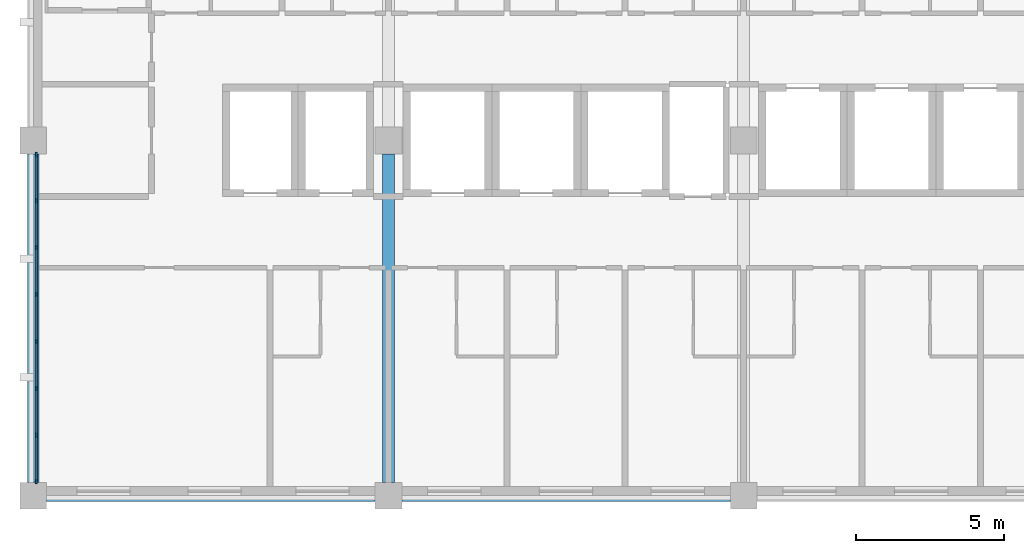
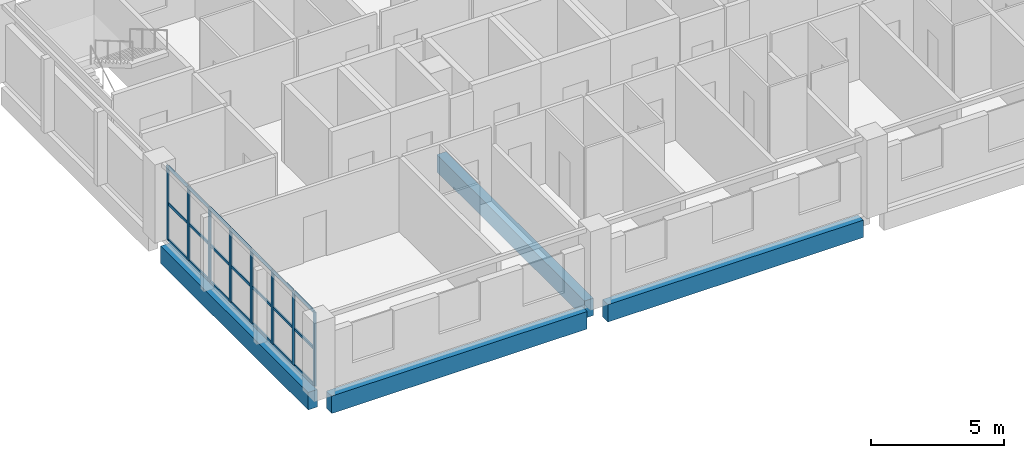
# One storey, part 2 of 11: 29 members, 4 beams, 1 element without a shape of its own.
"""IFC4 building model written with IfcOpenShell, lengths in metres."""

from ifc_helpers import new_model, si_unit, direction, frame, origin, origin_2d, place, context, subcontext, project, spatial, rectangle, extrude, material, layer, layer_set, material_profile, profile_set, type_object, element, aggregate, save


model = new_model("IFC4")

# Units and contexts
model_context = context("Model", 3, precision=1e-05, world=origin(), true_north=direction((0.0, 1.0)))
body_context = subcontext(model_context, "Body", "Model", "MODEL_VIEW")
ifc_project = project(units=[si_unit("LENGTHUNIT", "METRE"), si_unit("AREAUNIT", "SQUARE_METRE"), si_unit("VOLUMEUNIT", "CUBIC_METRE"), si_unit("PLANEANGLEUNIT", "RADIAN"), si_unit("MASSUNIT", "GRAM", prefix="KILO")], contexts=[model_context])

# Site, building, storey
site_placement = place(None, origin())
site = spatial("IfcSite", under=ifc_project, at=site_placement, CompositionType="ELEMENT")
building_placement = place(site_placement, origin())
building = spatial("IfcBuilding", under=site, at=building_placement, Name="Lilac Gate Convention Centre", CompositionType="ELEMENT")
storey_placement = place(building_placement, frame((0.0, 0.0, 28.199951171875)))
storey = spatial("IfcBuildingStorey", under=building, at=storey_placement, Name="L06", CompositionType="ELEMENT", Elevation=28.199951171875)

# Curtain wall, members
ifc_material_1 = material(Name="Aluminium framed double glazing", Category="aluminium")
ifc_layer = layer(ifc_material_1, 0.199951171875)
ifc_layer_set = layer_set([ifc_layer], Name="Aluminium framed double glazing")
curtain_wall_type = type_object("IfcCurtainWallType", Name="Unitised curtain wall 1500", PredefinedType="NOTDEFINED", material=ifc_layer_set)
curtain_wall_placement = place(storey_placement, origin())
curtain_wall = element("IfcCurtainWall", 1, at=curtain_wall_placement, inside=storey, type_object=curtain_wall_type, Name="Curtain wall W L06 2", PredefinedType="NOTDEFINED")
ifc_material_2 = material(Name="Aluminium alloy 6063", Category="aluminium")
ifc_material_profile_1 = material_profile(ifc_material_2, rectangle(XDim=0.06005859375, YDim=0.159912109375, at=origin_2d()), Name="Curtain wall mullion 60 x 160")
ifc_profile_set_1 = profile_set([ifc_material_profile_1], Name="Aluminium alloy 6063")
member_type_1 = type_object("IfcMemberType", Name="Curtain wall mullion 60 x 160", PredefinedType="MULLION", material=ifc_profile_set_1)
member_1_placement = place(storey_placement, frame((42.10009765625, 233.52001953125, 0.0), z_axis=(0.0, 0.0, 1.0), x_axis=(1.0, 0.0, 0.0)))
member_1 = element("IfcMember", 2, at=member_1_placement, type_object=member_type_1, Name="CW mullion 1", PredefinedType="MULLION", context=body_context, shape_type="SweptSolid", body=[
    extrude(rectangle(XDim=0.06005859375, YDim=0.159912109375, at=origin_2d()), origin(), (0.0, 0.0, 1.0), 3.400146484375),
])
member_2_placement = place(storey_placement, frame((42.10009765625, 231.96435546875, 0.0), z_axis=(0.0, 0.0, 1.0), x_axis=(1.0, 0.0, 0.0)))
member_2 = element("IfcMember", 3, at=member_2_placement, type_object=member_type_1, Name="CW mullion 2", PredefinedType="MULLION", context=body_context, shape_type="SweptSolid", body=[
    extrude(rectangle(XDim=0.06005859375, YDim=0.159912109375, at=origin_2d()), origin(), (0.0, 0.0, 1.0), 3.400146484375),
])
member_3_placement = place(storey_placement, frame((42.10009765625, 230.378662109375, 0.0), z_axis=(0.0, 0.0, 1.0), x_axis=(1.0, 0.0, 0.0)))
member_3 = element("IfcMember", 4, at=member_3_placement, type_object=member_type_1, Name="CW mullion 3", PredefinedType="MULLION", context=body_context, shape_type="SweptSolid", body=[
    extrude(rectangle(XDim=0.06005859375, YDim=0.159912109375, at=origin_2d()), origin(), (0.0, 0.0, 1.0), 3.400146484375),
])
member_4_placement = place(storey_placement, frame((42.10009765625, 228.79296875, 0.0), z_axis=(0.0, 0.0, 1.0), x_axis=(1.0, 0.0, 0.0)))
member_4 = element("IfcMember", 5, at=member_4_placement, type_object=member_type_1, Name="CW mullion 4", PredefinedType="MULLION", context=body_context, shape_type="SweptSolid", body=[
    extrude(rectangle(XDim=0.06005859375, YDim=0.159912109375, at=origin_2d()), origin(), (0.0, 0.0, 1.0), 3.400146484375),
])
member_5_placement = place(storey_placement, frame((42.10009765625, 227.20703125, 0.0), z_axis=(0.0, 0.0, 1.0), x_axis=(1.0, 0.0, 0.0)))
member_5 = element("IfcMember", 6, at=member_5_placement, type_object=member_type_1, Name="CW mullion 5", PredefinedType="MULLION", context=body_context, shape_type="SweptSolid", body=[
    extrude(rectangle(XDim=0.06005859375, YDim=0.159912109375, at=origin_2d()), origin(), (0.0, 0.0, 1.0), 3.400146484375),
])
member_6_placement = place(storey_placement, frame((42.10009765625, 225.621337890625, 0.0), z_axis=(0.0, 0.0, 1.0), x_axis=(1.0, 0.0, 0.0)))
member_6 = element("IfcMember", 7, at=member_6_placement, type_object=member_type_1, Name="CW mullion 6", PredefinedType="MULLION", context=body_context, shape_type="SweptSolid", body=[
    extrude(rectangle(XDim=0.06005859375, YDim=0.159912109375, at=origin_2d()), origin(), (0.0, 0.0, 1.0), 3.400146484375),
])
member_7_placement = place(storey_placement, frame((42.10009765625, 224.03564453125, 0.0), z_axis=(0.0, 0.0, 1.0), x_axis=(1.0, 0.0, 0.0)))
member_7 = element("IfcMember", 8, at=member_7_placement, type_object=member_type_1, Name="CW mullion 7", PredefinedType="MULLION", context=body_context, shape_type="SweptSolid", body=[
    extrude(rectangle(XDim=0.06005859375, YDim=0.159912109375, at=origin_2d()), origin(), (0.0, 0.0, 1.0), 3.400146484375),
])
member_8_placement = place(storey_placement, frame((42.10009765625, 222.47998046875, 0.0), z_axis=(0.0, 0.0, 1.0), x_axis=(1.0, 0.0, 0.0)))
member_8 = element("IfcMember", 9, at=member_8_placement, type_object=member_type_1, Name="CW mullion 8", PredefinedType="MULLION", context=body_context, shape_type="SweptSolid", body=[
    extrude(rectangle(XDim=0.06005859375, YDim=0.159912109375, at=origin_2d()), origin(), (0.0, 0.0, 1.0), 3.400146484375),
])
ifc_material_profile_2 = material_profile(ifc_material_2, rectangle(XDim=0.06005859375, YDim=0.1201171875, at=origin_2d()), Name="Curtain wall transom 60 x 120")
ifc_profile_set_2 = profile_set([ifc_material_profile_2], Name="Aluminium alloy 6063")
member_type_2 = type_object("IfcMemberType", Name="Curtain wall transom 60 x 120", PredefinedType="USERDEFINED", material=ifc_profile_set_2)
member_9_placement = place(storey_placement, frame((42.10009765625, 233.489990234375, 0.030029296875), z_axis=(0.0, -1.0, 0.0), x_axis=(1.0, 0.0, 0.0)))
member_9 = element("IfcMember", 10, at=member_9_placement, type_object=member_type_2, Name="CW transom 1.1", ObjectType="TRANSOM", PredefinedType="USERDEFINED", context=body_context, shape_type="SweptSolid", body=[
    extrude(rectangle(XDim=0.06005859375, YDim=0.1201171875, at=origin_2d()), origin(), (0.0, 0.0, 1.0), 1.49560546875),
])
member_10_placement = place(storey_placement, frame((42.10009765625, 233.489990234375, 1.699951171875), z_axis=(0.0, -1.0, 0.0), x_axis=(1.0, 0.0, 0.0)))
member_10 = element("IfcMember", 11, at=member_10_placement, type_object=member_type_2, Name="CW transom 1.2", ObjectType="TRANSOM", PredefinedType="USERDEFINED", context=body_context, shape_type="SweptSolid", body=[
    extrude(rectangle(XDim=0.06005859375, YDim=0.1201171875, at=origin_2d()), origin(), (0.0, 0.0, 1.0), 1.49560546875),
])
member_11_placement = place(storey_placement, frame((42.10009765625, 233.489990234375, 3.3701171875), z_axis=(0.0, -1.0, 0.0), x_axis=(1.0, 0.0, 0.0)))
member_11 = element("IfcMember", 12, at=member_11_placement, type_object=member_type_2, Name="CW transom 1.3", ObjectType="TRANSOM", PredefinedType="USERDEFINED", context=body_context, shape_type="SweptSolid", body=[
    extrude(rectangle(XDim=0.06005859375, YDim=0.1201171875, at=origin_2d()), origin(), (0.0, 0.0, 1.0), 1.49560546875),
])
member_12_placement = place(storey_placement, frame((42.10009765625, 231.934326171875, 0.030029296875), z_axis=(0.0, -1.0, 0.0), x_axis=(1.0, 0.0, 0.0)))
member_12 = element("IfcMember", 13, at=member_12_placement, type_object=member_type_2, Name="CW transom 2.1", ObjectType="TRANSOM", PredefinedType="USERDEFINED", context=body_context, shape_type="SweptSolid", body=[
    extrude(rectangle(XDim=0.06005859375, YDim=0.1201171875, at=origin_2d()), origin(), (0.0, 0.0, 1.0), 1.525634765625),
])
member_13_placement = place(storey_placement, frame((42.10009765625, 231.934326171875, 1.699951171875), z_axis=(0.0, -1.0, 0.0), x_axis=(1.0, 0.0, 0.0)))
member_13 = element("IfcMember", 14, at=member_13_placement, type_object=member_type_2, Name="CW transom 2.2", ObjectType="TRANSOM", PredefinedType="USERDEFINED", context=body_context, shape_type="SweptSolid", body=[
    extrude(rectangle(XDim=0.06005859375, YDim=0.1201171875, at=origin_2d()), origin(), (0.0, 0.0, 1.0), 1.525634765625),
])
member_14_placement = place(storey_placement, frame((42.10009765625, 231.934326171875, 3.3701171875), z_axis=(0.0, -1.0, 0.0), x_axis=(1.0, 0.0, 0.0)))
member_14 = element("IfcMember", 15, at=member_14_placement, type_object=member_type_2, Name="CW transom 2.3", ObjectType="TRANSOM", PredefinedType="USERDEFINED", context=body_context, shape_type="SweptSolid", body=[
    extrude(rectangle(XDim=0.06005859375, YDim=0.1201171875, at=origin_2d()), origin(), (0.0, 0.0, 1.0), 1.525634765625),
])
member_15_placement = place(storey_placement, frame((42.10009765625, 230.3486328125, 0.030029296875), z_axis=(0.0, -1.0, 0.0), x_axis=(1.0, 0.0, 0.0)))
member_15 = element("IfcMember", 16, at=member_15_placement, type_object=member_type_2, Name="CW transom 3.1", ObjectType="TRANSOM", PredefinedType="USERDEFINED", context=body_context, shape_type="SweptSolid", body=[
    extrude(rectangle(XDim=0.06005859375, YDim=0.1201171875, at=origin_2d()), origin(), (0.0, 0.0, 1.0), 1.52587890625),
])
member_16_placement = place(storey_placement, frame((42.10009765625, 230.3486328125, 1.699951171875), z_axis=(0.0, -1.0, 0.0), x_axis=(1.0, 0.0, 0.0)))
member_16 = element("IfcMember", 17, at=member_16_placement, type_object=member_type_2, Name="CW transom 3.2", ObjectType="TRANSOM", PredefinedType="USERDEFINED", context=body_context, shape_type="SweptSolid", body=[
    extrude(rectangle(XDim=0.06005859375, YDim=0.1201171875, at=origin_2d()), origin(), (0.0, 0.0, 1.0), 1.52587890625),
])
member_17_placement = place(storey_placement, frame((42.10009765625, 230.3486328125, 3.3701171875), z_axis=(0.0, -1.0, 0.0), x_axis=(1.0, 0.0, 0.0)))
member_17 = element("IfcMember", 18, at=member_17_placement, type_object=member_type_2, Name="CW transom 3.3", ObjectType="TRANSOM", PredefinedType="USERDEFINED", context=body_context, shape_type="SweptSolid", body=[
    extrude(rectangle(XDim=0.06005859375, YDim=0.1201171875, at=origin_2d()), origin(), (0.0, 0.0, 1.0), 1.52587890625),
])
member_18_placement = place(storey_placement, frame((42.10009765625, 228.762939453125, 0.030029296875), z_axis=(0.0, -1.0, 0.0), x_axis=(1.0, 0.0, 0.0)))
member_18 = element("IfcMember", 19, at=member_18_placement, type_object=member_type_2, Name="CW transom 4.1", ObjectType="TRANSOM", PredefinedType="USERDEFINED", context=body_context, shape_type="SweptSolid", body=[
    extrude(rectangle(XDim=0.06005859375, YDim=0.1201171875, at=origin_2d()), origin(), (0.0, 0.0, 1.0), 1.52587890625),
])
member_19_placement = place(storey_placement, frame((42.10009765625, 228.762939453125, 1.699951171875), z_axis=(0.0, -1.0, 0.0), x_axis=(1.0, 0.0, 0.0)))
member_19 = element("IfcMember", 20, at=member_19_placement, type_object=member_type_2, Name="CW transom 4.2", ObjectType="TRANSOM", PredefinedType="USERDEFINED", context=body_context, shape_type="SweptSolid", body=[
    extrude(rectangle(XDim=0.06005859375, YDim=0.1201171875, at=origin_2d()), origin(), (0.0, 0.0, 1.0), 1.52587890625),
])
member_20_placement = place(storey_placement, frame((42.10009765625, 228.762939453125, 3.3701171875), z_axis=(0.0, -1.0, 0.0), x_axis=(1.0, 0.0, 0.0)))
member_20 = element("IfcMember", 21, at=member_20_placement, type_object=member_type_2, Name="CW transom 4.3", ObjectType="TRANSOM", PredefinedType="USERDEFINED", context=body_context, shape_type="SweptSolid", body=[
    extrude(rectangle(XDim=0.06005859375, YDim=0.1201171875, at=origin_2d()), origin(), (0.0, 0.0, 1.0), 1.52587890625),
])
member_21_placement = place(storey_placement, frame((42.10009765625, 227.17724609375, 0.030029296875), z_axis=(0.0, -1.0, 0.0), x_axis=(1.0, 0.0, 0.0)))
member_21 = element("IfcMember", 22, at=member_21_placement, type_object=member_type_2, Name="CW transom 5.1", ObjectType="TRANSOM", PredefinedType="USERDEFINED", context=body_context, shape_type="SweptSolid", body=[
    extrude(rectangle(XDim=0.06005859375, YDim=0.1201171875, at=origin_2d()), origin(), (0.0, 0.0, 1.0), 1.52587890625),
])
member_22_placement = place(storey_placement, frame((42.10009765625, 227.17724609375, 1.699951171875), z_axis=(0.0, -1.0, 0.0), x_axis=(1.0, 0.0, 0.0)))
member_22 = element("IfcMember", 23, at=member_22_placement, type_object=member_type_2, Name="CW transom 5.2", ObjectType="TRANSOM", PredefinedType="USERDEFINED", context=body_context, shape_type="SweptSolid", body=[
    extrude(rectangle(XDim=0.06005859375, YDim=0.1201171875, at=origin_2d()), origin(), (0.0, 0.0, 1.0), 1.52587890625),
])
member_23_placement = place(storey_placement, frame((42.10009765625, 227.17724609375, 3.3701171875), z_axis=(0.0, -1.0, 0.0), x_axis=(1.0, 0.0, 0.0)))
member_23 = element("IfcMember", 24, at=member_23_placement, type_object=member_type_2, Name="CW transom 5.3", ObjectType="TRANSOM", PredefinedType="USERDEFINED", context=body_context, shape_type="SweptSolid", body=[
    extrude(rectangle(XDim=0.06005859375, YDim=0.1201171875, at=origin_2d()), origin(), (0.0, 0.0, 1.0), 1.52587890625),
])
member_24_placement = place(storey_placement, frame((42.10009765625, 225.59130859375, 0.030029296875), z_axis=(0.0, -1.0, 0.0), x_axis=(1.0, 0.0, 0.0)))
member_24 = element("IfcMember", 25, at=member_24_placement, type_object=member_type_2, Name="CW transom 6.1", ObjectType="TRANSOM", PredefinedType="USERDEFINED", context=body_context, shape_type="SweptSolid", body=[
    extrude(rectangle(XDim=0.06005859375, YDim=0.1201171875, at=origin_2d()), origin(), (0.0, 0.0, 1.0), 1.525634765625),
])
member_25_placement = place(storey_placement, frame((42.10009765625, 225.59130859375, 1.699951171875), z_axis=(0.0, -1.0, 0.0), x_axis=(1.0, 0.0, 0.0)))
member_25 = element("IfcMember", 26, at=member_25_placement, type_object=member_type_2, Name="CW transom 6.2", ObjectType="TRANSOM", PredefinedType="USERDEFINED", context=body_context, shape_type="SweptSolid", body=[
    extrude(rectangle(XDim=0.06005859375, YDim=0.1201171875, at=origin_2d()), origin(), (0.0, 0.0, 1.0), 1.525634765625),
])
member_26_placement = place(storey_placement, frame((42.10009765625, 225.59130859375, 3.3701171875), z_axis=(0.0, -1.0, 0.0), x_axis=(1.0, 0.0, 0.0)))
member_26 = element("IfcMember", 27, at=member_26_placement, type_object=member_type_2, Name="CW transom 6.3", ObjectType="TRANSOM", PredefinedType="USERDEFINED", context=body_context, shape_type="SweptSolid", body=[
    extrude(rectangle(XDim=0.06005859375, YDim=0.1201171875, at=origin_2d()), origin(), (0.0, 0.0, 1.0), 1.525634765625),
])
member_27_placement = place(storey_placement, frame((42.10009765625, 224.005615234375, 0.030029296875), z_axis=(0.0, -1.0, 0.0), x_axis=(1.0, 0.0, 0.0)))
member_27 = element("IfcMember", 28, at=member_27_placement, type_object=member_type_2, Name="CW transom 7.1", ObjectType="TRANSOM", PredefinedType="USERDEFINED", context=body_context, shape_type="SweptSolid", body=[
    extrude(rectangle(XDim=0.06005859375, YDim=0.1201171875, at=origin_2d()), origin(), (0.0, 0.0, 1.0), 1.49560546875),
])
member_28_placement = place(storey_placement, frame((42.10009765625, 224.005615234375, 1.699951171875), z_axis=(0.0, -1.0, 0.0), x_axis=(1.0, 0.0, 0.0)))
member_28 = element("IfcMember", 29, at=member_28_placement, type_object=member_type_2, Name="CW transom 7.2", ObjectType="TRANSOM", PredefinedType="USERDEFINED", context=body_context, shape_type="SweptSolid", body=[
    extrude(rectangle(XDim=0.06005859375, YDim=0.1201171875, at=origin_2d()), origin(), (0.0, 0.0, 1.0), 1.49560546875),
])
member_29_placement = place(storey_placement, frame((42.10009765625, 224.005615234375, 3.3701171875), z_axis=(0.0, -1.0, 0.0), x_axis=(1.0, 0.0, 0.0)))
member_29 = element("IfcMember", 30, at=member_29_placement, type_object=member_type_2, Name="CW transom 7.3", ObjectType="TRANSOM", PredefinedType="USERDEFINED", context=body_context, shape_type="SweptSolid", body=[
    extrude(rectangle(XDim=0.06005859375, YDim=0.1201171875, at=origin_2d()), origin(), (0.0, 0.0, 1.0), 1.49560546875),
])
aggregate(curtain_wall, [member_1, member_2, member_3, member_4, member_5, member_6, member_7, member_8, member_9, member_10, member_11, member_12, member_13, member_14, member_15, member_16, member_17, member_18, member_19, member_20, member_21, member_22, member_23, member_24, member_25, member_26, member_27, member_28, member_29])

# Beams
ifc_material_3 = material(Name="Concrete C40", Category="concrete")
ifc_material_profile_3 = material_profile(ifc_material_3, rectangle(XDim=0.39990234375, YDim=0.800048828125, at=origin_2d()), Name="RC 400x800")
ifc_profile_set_3 = profile_set([ifc_material_profile_3], Name="Concrete C40")
beam_type = type_object("IfcBeamType", Name="Tower primary beam 400x800 C40", PredefinedType="BEAM", material=ifc_profile_set_3)
for number, where, z_axis, x_axis, name in (
    (31, (42.449951171875, 222.0, -0.599853515625), (1.0, 0.0, 0.0), (0.0, 1.0, 0.0), "RB3 L06 4/S-5/S"),
    (32, (54.449951171875, 222.0, -0.599853515625), (1.0, 0.0, 0.0), (0.0, 1.0, 0.0), "RB3 L06 5/S-6/S"),
    (33, (42.0, 222.449951171875, -0.599853515625), (0.0, 1.0, 0.0), (-1.0, 0.0, 0.0), "RB3 L06 4/S-4/T"),
    (34, (54.0, 222.449951171875, -0.599853515625), (0.0, 1.0, 0.0), (-1.0, 0.0, 0.0), "RB3 L06 5/S-5/T"),
):
    element("IfcBeam", number, at=place(storey_placement, frame(where, z_axis=z_axis, x_axis=x_axis)), inside=storey, type_object=beam_type, Name=name, PredefinedType="BEAM", context=body_context, shape_type="SweptSolid", body=[
        extrude(rectangle(XDim=0.39990234375, YDim=0.800048828125, at=origin_2d()), origin(), (0.0, 0.0, 1.0), 11.10009765625),
    ])

save(model, "model.ifc")
